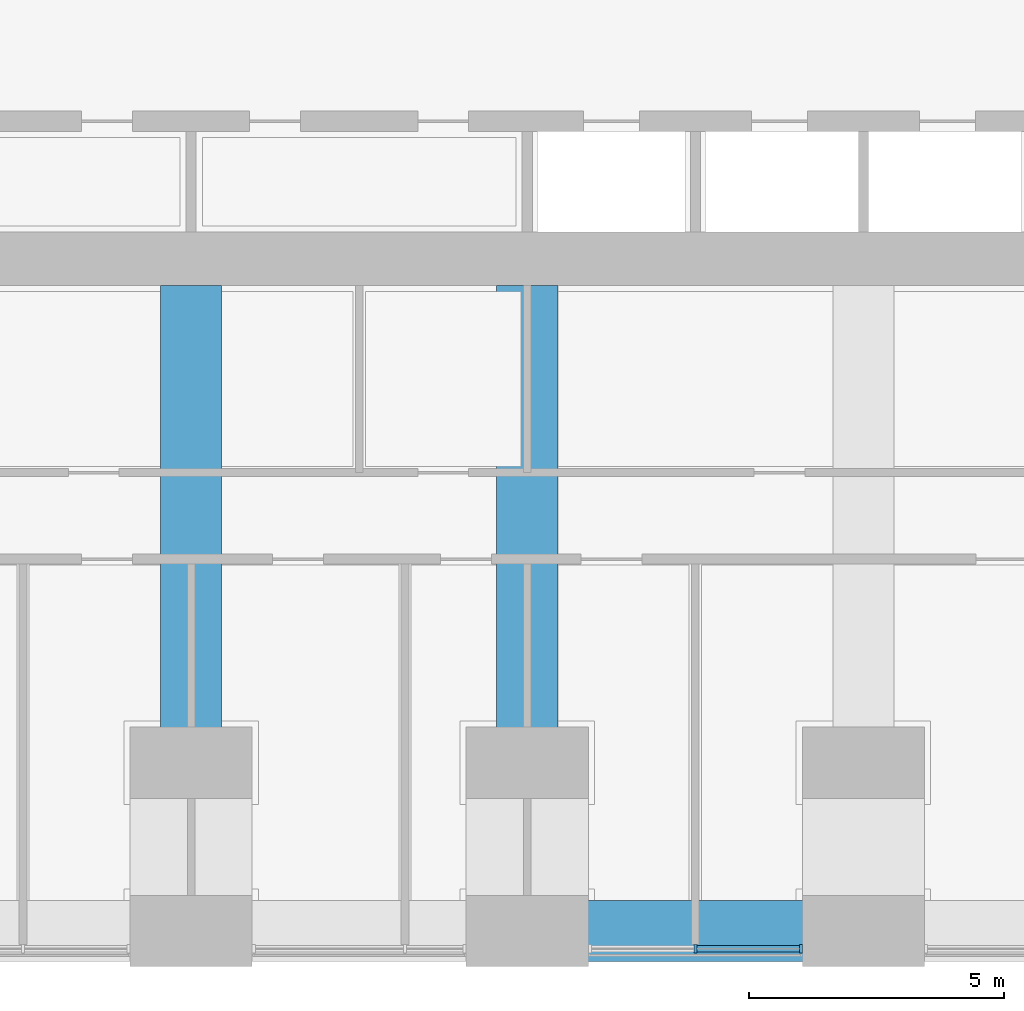
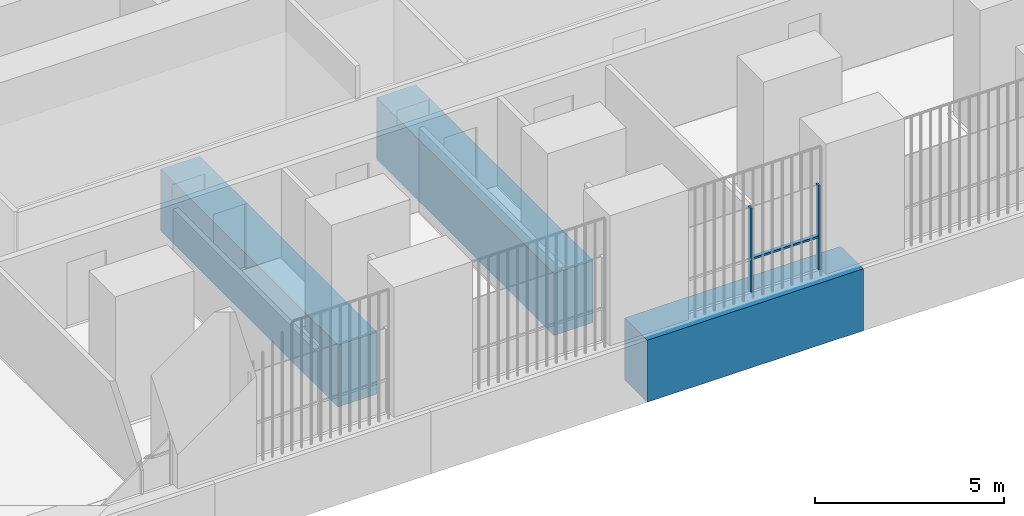
# One storey, part 3 of 27: 3 beams, 3 members, 1 element without a shape of its own.
"""IFC4 building model written with IfcOpenShell, lengths in metres."""

from ifc_helpers import new_model, si_unit, direction, frame, origin, origin_2d, place, context, subcontext, project, spatial, rectangle, extrude, material, material_profile, profile_set, type_object, element, aggregate, save


model = new_model("IFC4")

# Units and contexts
model_context = context("Model", 3, precision=1e-05, world=origin(), true_north=direction((0.0, 1.0)))
body_context = subcontext(model_context, "Body", "Model", "MODEL_VIEW")
ifc_project = project(units=[si_unit("LENGTHUNIT", "METRE"), si_unit("AREAUNIT", "SQUARE_METRE"), si_unit("VOLUMEUNIT", "CUBIC_METRE"), si_unit("PLANEANGLEUNIT", "RADIAN"), si_unit("MASSUNIT", "GRAM", prefix="KILO")], contexts=[model_context])

# Site, building, storey
site_placement = place(None, origin())
site = spatial("IfcSite", under=ifc_project, at=site_placement, CompositionType="ELEMENT")
building_placement = place(site_placement, origin())
building = spatial("IfcBuilding", under=site, at=building_placement, Name="Cobogo Forest Laboratory Tower", CompositionType="ELEMENT")
storey_placement = place(building_placement, frame((0.0, 0.0, 82.199951171875)))
storey = spatial("IfcBuildingStorey", under=building, at=storey_placement, Name="L18", CompositionType="ELEMENT", Elevation=82.199951171875)

# Curtain wall, members
ifc_material_1 = material(Name="Aluminium curtain wall", Category="aluminium")
curtain_wall_type = type_object("IfcCurtainWallType", Name="CW-1 unitised curtain wall, clear glazing, laboratory floors zones A and B", PredefinedType="USERDEFINED", material=ifc_material_1)
curtain_wall_placement = place(storey_placement, origin())
curtain_wall = element("IfcCurtainWall", 1, at=curtain_wall_placement, inside=storey, type_object=curtain_wall_type, Name="Curtain wall 04 L18", ObjectType="UNITISED CURTAIN WALL", PredefinedType="USERDEFINED")
ifc_material_2 = material(Name="Aluminium mullion", Category="aluminium")
ifc_material_profile_1 = material_profile(ifc_material_2, rectangle(XDim=0.06005859375, YDim=0.159912109375, at=origin_2d()), Name="AL 60x160")
ifc_profile_set_1 = profile_set([ifc_material_profile_1], Name="Aluminium mullion")
member_type_1 = type_object("IfcMemberType", Name="MU-1 aluminium mullion 60x160", PredefinedType="MULLION", material=ifc_profile_set_1)
member_1_placement = place(storey_placement, frame((29.699951171875, -0.35009765625, 0.0), z_axis=(0.0, 0.0, 1.0), x_axis=(1.0, 0.0, 0.0)))
member_1 = element("IfcMember", 2, at=member_1_placement, type_object=member_type_1, Name="CW-1 mullion 2", PredefinedType="MULLION", context=body_context, shape_type="SweptSolid", body=[
    extrude(rectangle(XDim=0.06005859375, YDim=0.159912109375, at=origin_2d()), origin(), (0.0, 0.0, 1.0), 2.699951171875),
])
member_2_placement = place(storey_placement, frame((31.77001953125, -0.35009765625, 0.0), z_axis=(0.0, 0.0, 1.0), x_axis=(1.0, 0.0, 0.0)))
member_2 = element("IfcMember", 3, at=member_2_placement, type_object=member_type_1, Name="CW-1 mullion 3", PredefinedType="MULLION", context=body_context, shape_type="SweptSolid", body=[
    extrude(rectangle(XDim=0.06005859375, YDim=0.159912109375, at=origin_2d()), origin(), (0.0, 0.0, 1.0), 2.699951171875),
])

# Beams
ifc_material_3 = material(Name="Concrete HA-40 (C40/50)", Category="concrete")
ifc_material_profile_2 = material_profile(ifc_material_3, rectangle(XDim=1.199951171875, YDim=2.0, at=origin_2d()), Name="RC 1200x2000")
ifc_profile_set_2 = profile_set([ifc_material_profile_2], Name="Concrete HA-40 (C40/50)")
beam_type = type_object("IfcBeamType", Name="Setback floor girder 1200x2000", PredefinedType="BEAM", material=ifc_profile_set_2)
for number, where, z_axis, x_axis, name in (
    (4, (19.800048828125, 12.675048828125, -1.300048828125), (0.0, -1.0, 0.0), (1.0, 0.0, 0.0), "TG2 R-4-S L18"),
    (5, (26.39990234375, 12.675048828125, -1.300048828125), (0.0, -1.0, 0.0), (1.0, 0.0, 0.0), "TG2 R-5-S L18"),
):
    element("IfcBeam", number, at=place(storey_placement, frame(where, z_axis=z_axis, x_axis=x_axis)), inside=storey, type_object=beam_type, Name=name, PredefinedType="BEAM", context=body_context, shape_type="SweptSolid", body=[
        extrude(rectangle(XDim=1.199951171875, YDim=2.0, at=origin_2d()), origin(), (0.0, 0.0, 1.0), 9.375),
    ])
beam_placement = place(storey_placement, frame((26.39990234375, 0.0, -1.300048828125), z_axis=(1.0, 0.0, 0.0), x_axis=(0.0, 1.0, 0.0)))
element("IfcBeam", 6, at=beam_placement, inside=storey, type_object=beam_type, Name="TG2 E-S4 L18", PredefinedType="BEAM", context=body_context, shape_type="SweptSolid", body=[
    extrude(rectangle(XDim=1.199951171875, YDim=2.0, at=origin_2d()), origin(), (0.0, 0.0, 1.0), 6.60009765625),
])

# Member
ifc_material_4 = material(Name="Aluminium transom", Category="aluminium")
ifc_material_profile_3 = material_profile(ifc_material_4, rectangle(XDim=0.1201171875, YDim=0.06005859375, at=origin_2d()), Name="AL 60x120")
ifc_profile_set_3 = profile_set([ifc_material_profile_3], Name="Aluminium transom")
member_type_2 = type_object("IfcMemberType", Name="TR-1 aluminium transom 60x120", PredefinedType="USERDEFINED", material=ifc_profile_set_3)
member_3_placement = place(storey_placement, frame((29.72998046875, -0.35009765625, 1.050048828125), z_axis=(1.0, 0.0, 0.0), x_axis=(0.0, 1.0, 0.0)))
member_3 = element("IfcMember", 7, at=member_3_placement, type_object=member_type_2, Name="CW-1 transom 2.1", ObjectType="TRANSOM", PredefinedType="USERDEFINED", context=body_context, shape_type="SweptSolid", body=[
    extrude(rectangle(XDim=0.1201171875, YDim=0.06005859375, at=origin_2d()), origin(), (0.0, 0.0, 1.0), 2.010009765625),
])

aggregate(curtain_wall, [member_1, member_2, member_3])

save(model, "model.ifc")
